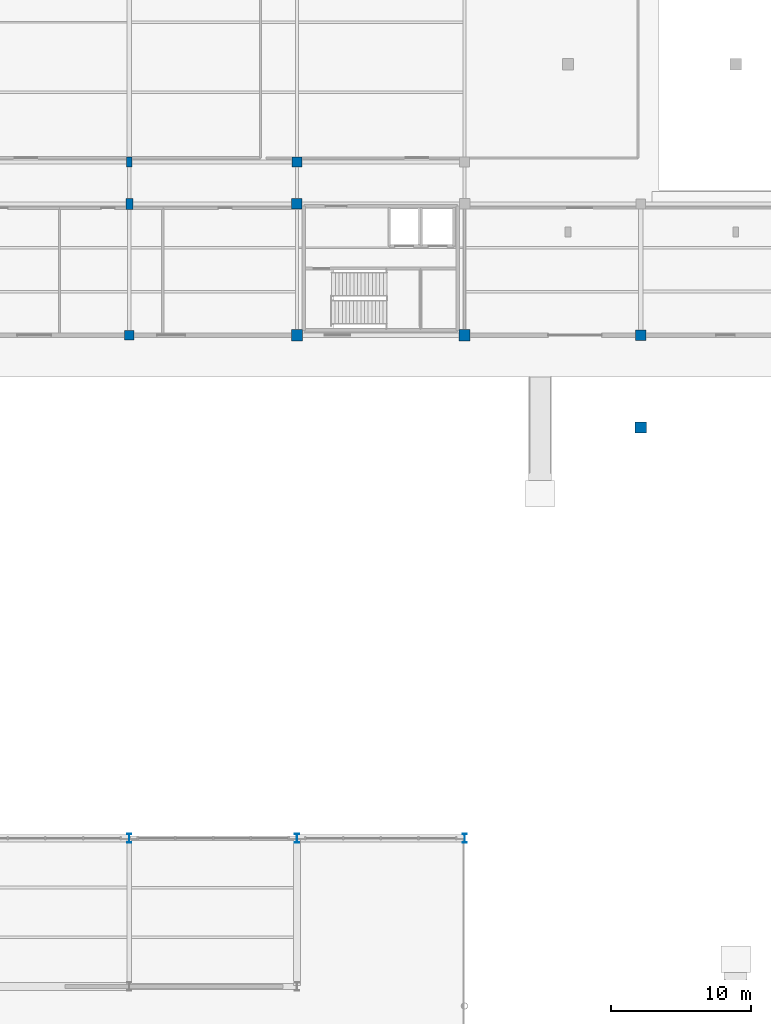
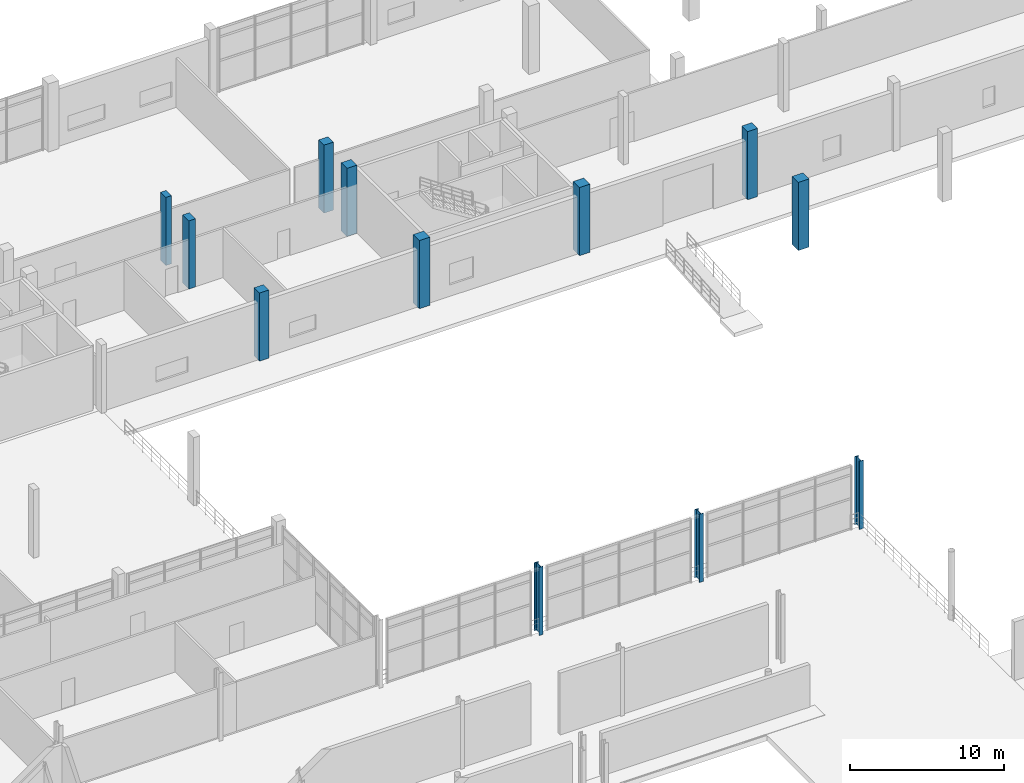
# One storey, part 11 of 85: 12 columns.
"""IFC4 building model written with IfcOpenShell, lengths in metres."""

from ifc_helpers import new_model, si_unit, direction, frame, origin, origin_2d, place, context, subcontext, project, spatial, rectangle, i_section, extrude, material, material_profile, profile_set, type_object, element, save


model = new_model("IFC4")

# Units and contexts
model_context = context("Model", 3, precision=1e-05, world=origin(), true_north=direction((0.0, 1.0)))
body_context = subcontext(model_context, "Body", "Model", "MODEL_VIEW")
ifc_project = project(units=[si_unit("LENGTHUNIT", "METRE"), si_unit("AREAUNIT", "SQUARE_METRE"), si_unit("VOLUMEUNIT", "CUBIC_METRE"), si_unit("PLANEANGLEUNIT", "RADIAN"), si_unit("MASSUNIT", "GRAM", prefix="KILO"), si_unit("THERMODYNAMICTEMPERATUREUNIT", "KELVIN"), si_unit("POWERUNIT", "WATT")], contexts=[model_context])

# Site, building, storey
site_placement = place(None, origin())
site = spatial("IfcSite", under=ifc_project, at=site_placement, CompositionType="ELEMENT")
building_placement = place(site_placement, origin())
building = spatial("IfcBuilding", under=site, at=building_placement, Name="Solmara Park Aquatics Centre", CompositionType="ELEMENT")
storey_placement = place(building_placement, origin())
storey = spatial("IfcBuildingStorey", under=building, at=storey_placement, Name="L00", CompositionType="ELEMENT", Elevation=0.0)

# Columns
ifc_material_1 = material(Name="Structural Steel S355", Category="steel")
ifc_material_profile_1 = material_profile(ifc_material_1, i_section(OverallWidth=0.300048828125, OverallDepth=0.64990234375, WebThickness=0.01611328125, FlangeThickness=0.031005859375, FilletRadius=0.027099609375, at=origin_2d()), Name="HEB 650")
ifc_profile_set_1 = profile_set([ifc_material_profile_1], Name="Structural Steel S355")
column_type_1 = type_object("IfcColumnType", Name="STR-COL-HEB650", PredefinedType="COLUMN", material=ifc_profile_set_1)
for number, where, z_axis, x_axis, name in (
    (1, (72.60009765625, 72.60009765625, 0.0), (0.0, 0.0, 1.0), (1.0, 0.0, 0.0), "Column L00-0216"),
    (2, (84.60009765625, 72.60009765625, 0.0), (0.0, 0.0, 1.0), (1.0, 0.0, 0.0), "Column L00-0224"),
    (3, (96.60009765625, 72.60009765625, 0.0), (0.0, 0.0, 1.0), (1.0, 0.0, 0.0), "Column L00-0234"),
):
    element("IfcColumn", number, at=place(storey_placement, frame(where, z_axis=z_axis, x_axis=x_axis)), inside=storey, type_object=column_type_1, Name=name, PredefinedType="COLUMN", context=body_context, shape_type="SweptSolid", body=[
        extrude(i_section(OverallWidth=0.300048828125, OverallDepth=0.64990234375, WebThickness=0.01611328125, FlangeThickness=0.031005859375, FilletRadius=0.027099609375, at=origin_2d()), origin(), (0.0, 0.0, 1.0), 5.39990234375),
    ])
ifc_material_2 = material(Name="Concrete C40/50", Category="concrete")
ifc_material_profile_2 = material_profile(ifc_material_2, rectangle(XDim=0.5, YDim=0.800048828125, at=origin_2d()), Name="RC 500x800")
ifc_profile_set_2 = profile_set([ifc_material_profile_2], Name="Concrete C40/50")
column_type_2 = type_object("IfcColumnType", Name="STR-COL-RC500x800", PredefinedType="COLUMN", material=ifc_profile_set_2)
column_1_placement = place(storey_placement, frame((72.60009765625, 118.0, 0.0), z_axis=(0.0, 0.0, 1.0), x_axis=(1.0, 0.0, 0.0)))
element("IfcColumn", 4, at=column_1_placement, inside=storey, type_object=column_type_2, Name="Column L00-0218", PredefinedType="COLUMN", context=body_context, shape_type="SweptSolid", body=[
    extrude(rectangle(XDim=0.5, YDim=0.800048828125, at=origin_2d()), origin(), (0.0, 0.0, 1.0), 5.39990234375),
])
ifc_material_profile_3 = material_profile(ifc_material_2, rectangle(XDim=0.699951171875, YDim=0.699951171875, at=origin_2d()), Name="RC 700x700")
ifc_profile_set_3 = profile_set([ifc_material_profile_3], Name="Concrete C40/50")
column_type_3 = type_object("IfcColumnType", Name="STR-COL-RC700", PredefinedType="COLUMN", material=ifc_profile_set_3)
for number, where, z_axis, x_axis, name in (
    (5, (72.60009765625, 108.60009765625, 0.0), (0.0, 0.0, 1.0), (1.0, 0.0, 0.0), "Column L00-0217"),
    (6, (84.60009765625, 121.0, 0.0), (0.0, 0.0, 1.0), (1.0, 0.0, 0.0), "Column L00-0227"),
):
    element("IfcColumn", number, at=place(storey_placement, frame(where, z_axis=z_axis, x_axis=x_axis)), inside=storey, type_object=column_type_3, Name=name, PredefinedType="COLUMN", context=body_context, shape_type="SweptSolid", body=[
        extrude(rectangle(XDim=0.699951171875, YDim=0.699951171875, at=origin_2d()), origin(), (0.0, 0.0, 1.0), 5.39990234375),
    ])
ifc_material_profile_4 = material_profile(ifc_material_2, rectangle(XDim=0.75, YDim=0.75, at=origin_2d()), Name="RC 750x750")
ifc_profile_set_4 = profile_set([ifc_material_profile_4], Name="Concrete C40/50")
column_type_4 = type_object("IfcColumnType", Name="STR-COL-RC750", PredefinedType="COLUMN", material=ifc_profile_set_4)
for number, where, z_axis, x_axis, name in (
    (7, (84.60009765625, 118.0, 0.0), (0.0, 0.0, 1.0), (1.0, 0.0, 0.0), "Column L00-0226"),
    (8, (109.199951171875, 108.60009765625, 0.0), (0.0, 0.0, 1.0), (1.0, 0.0, 0.0), "Column L00-0246"),
):
    element("IfcColumn", number, at=place(storey_placement, frame(where, z_axis=z_axis, x_axis=x_axis)), inside=storey, type_object=column_type_4, Name=name, PredefinedType="COLUMN", context=body_context, shape_type="SweptSolid", body=[
        extrude(rectangle(XDim=0.75, YDim=0.75, at=origin_2d()), origin(), (0.0, 0.0, 1.0), 5.39990234375),
    ])
ifc_material_profile_5 = material_profile(ifc_material_2, rectangle(XDim=0.800048828125, YDim=0.800048828125, at=origin_2d()), Name="RC 800x800")
ifc_profile_set_5 = profile_set([ifc_material_profile_5], Name="Concrete C40/50")
column_type_5 = type_object("IfcColumnType", Name="STR-COL-RC800", PredefinedType="COLUMN", material=ifc_profile_set_5)
for number, where, z_axis, x_axis, name in (
    (9, (84.60009765625, 108.60009765625, 0.0), (0.0, 0.0, 1.0), (1.0, 0.0, 0.0), "Column L00-0225"),
    (10, (96.60009765625, 108.60009765625, 0.0), (0.0, 0.0, 1.0), (1.0, 0.0, 0.0), "Column L00-0235"),
    (11, (109.199951171875, 102.0, 0.0), (0.0, 0.0, 1.0), (1.0, 0.0, 0.0), "Column L00-0245"),
):
    element("IfcColumn", number, at=place(storey_placement, frame(where, z_axis=z_axis, x_axis=x_axis)), inside=storey, type_object=column_type_5, Name=name, PredefinedType="COLUMN", context=body_context, shape_type="SweptSolid", body=[
        extrude(rectangle(XDim=0.800048828125, YDim=0.800048828125, at=origin_2d()), origin(), (0.0, 0.0, 1.0), 5.39990234375),
    ])
ifc_material_profile_6 = material_profile(ifc_material_2, rectangle(XDim=0.39990234375, YDim=0.699951171875, at=origin_2d()), Name="RC 400x700")
ifc_profile_set_6 = profile_set([ifc_material_profile_6], Name="Concrete C40/50")
column_type_6 = type_object("IfcColumnType", Name="STR-PIL-RC400x700", PredefinedType="PILASTER", material=ifc_profile_set_6)
column_2_placement = place(storey_placement, frame((72.60009765625, 121.0, 0.0), z_axis=(0.0, 0.0, 1.0), x_axis=(1.0, 0.0, 0.0)))
element("IfcColumn", 12, at=column_2_placement, inside=storey, type_object=column_type_6, Name="Column L00-0219", PredefinedType="PILASTER", context=body_context, shape_type="SweptSolid", body=[
    extrude(rectangle(XDim=0.39990234375, YDim=0.699951171875, at=origin_2d()), origin(), (0.0, 0.0, 1.0), 5.39990234375),
])

save(model, "model.ifc")
